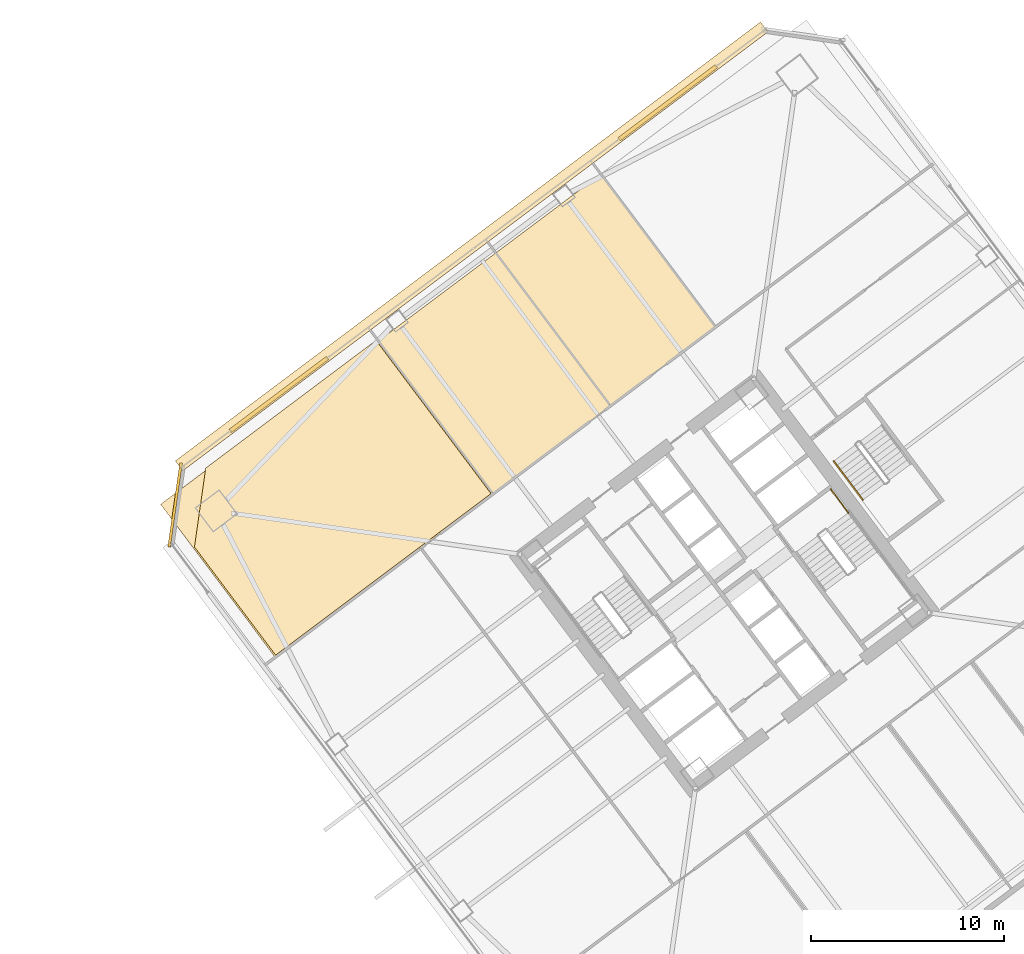
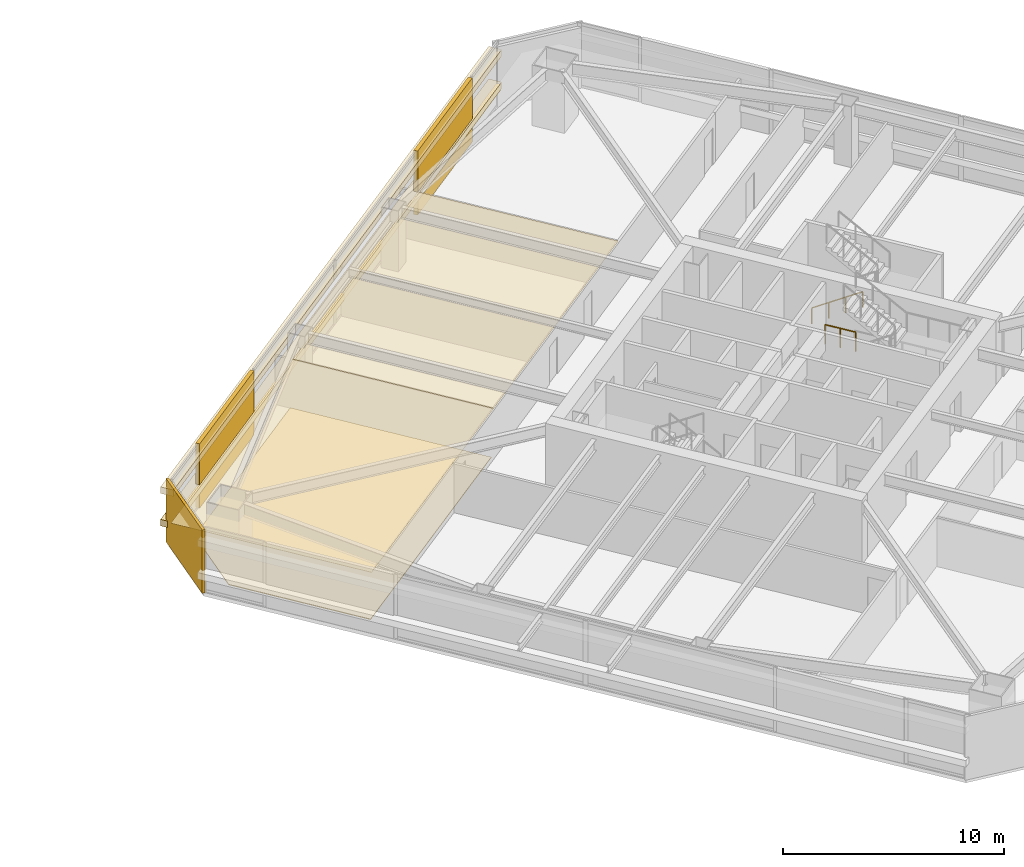
# One storey, part 46 of 48: 9 coverings, 2 railings.
"""IFC4 building model written with IfcOpenShell, lengths in metres."""

from ifc_helpers import new_model, si_unit, direction, frame, origin, origin_2d, place, context, subcontext, project, spatial, polyline, rectangle, outline, extrude, material, layer, layer_set, type_object, element, save


model = new_model("IFC4")

# Units and contexts
model_context = context("Model", 3, precision=1e-05, world=origin(), true_north=direction((0.0, 1.0)))
body_context = subcontext(model_context, "Body", "Model", "MODEL_VIEW")
ifc_project = project(units=[si_unit("LENGTHUNIT", "METRE"), si_unit("AREAUNIT", "SQUARE_METRE"), si_unit("VOLUMEUNIT", "CUBIC_METRE"), si_unit("PLANEANGLEUNIT", "RADIAN"), si_unit("MASSUNIT", "GRAM", prefix="KILO")], contexts=[model_context])

# Site, building, storey
site_placement = place(None, origin())
site = spatial("IfcSite", under=ifc_project, at=site_placement, CompositionType="ELEMENT")
building_placement = place(site_placement, origin())
building = spatial("IfcBuilding", under=site, at=building_placement, Name="Tashvorn Skyway Center", CompositionType="ELEMENT")
storey_placement = place(building_placement, frame((0.0, 0.0, 53.0)))
storey = spatial("IfcBuildingStorey", under=building, at=storey_placement, Name="L13", CompositionType="ELEMENT", Elevation=53.0)

# Coverings
ifc_material_1 = material(Name="Precast concrete C40/50", Category="concrete")
ifc_layer_1 = layer(ifc_material_1, 0.199951171875)
ifc_layer_set_1 = layer_set([ifc_layer_1], Name="Precast concrete C40/50")
covering_type_1 = type_object("IfcCoveringType", Name="COV-BRACE-CLAD", PredefinedType="CLADDING", material=ifc_layer_set_1)
for number, where, z_axis, x_axis, name in (
    (1, (90.922607421875, 41.7919921875, 0.0), (0.0, 0.0, 1.0), (0.799999996291, 0.600000004945, 0.0), "Tower 2 L13 North Unitised Curtain Wall Mega-Brace Cladding Band 1"),
    (2, (111.061279296875, 56.89599609375, 0.0), (0.0, 0.0, 1.0), (0.799999996291, 0.600000004945, 0.0), "Tower 2 L13 North Unitised Curtain Wall Mega-Brace Cladding Band 2"),
):
    element("IfcCovering", number, at=place(storey_placement, frame(where, z_axis=z_axis, x_axis=x_axis)), inside=storey, type_object=covering_type_1, Name=name, PredefinedType="CLADDING", context=body_context, shape_type="SweptSolid", body=[
        extrude(rectangle(XDim=6.29345703125, YDim=0.199951171875, at=origin_2d()), origin(), (0.0, 0.0, 1.0), 3.550048828125),
    ])
ifc_material_2 = material(Name="Mineral-fibre acoustic ceiling tile on suspended grid")
ifc_layer_2 = layer(ifc_material_2, 0.02001953125)
ifc_layer_set_2 = layer_set([ifc_layer_2], Name="Mineral-fibre acoustic ceiling tile on suspended grid")
covering_type_2 = type_object("IfcCoveringType", Name="COV-CEIL-20", PredefinedType="CEILING", material=ifc_layer_set_2)
covering_1_placement = place(storey_placement, frame((0.0, 0.0, 2.68310546875)))
element("IfcCovering", 3, at=covering_1_placement, inside=storey, type_object=covering_type_2, Name="Tower 2 L13 Gallery Showroom Acoustic Ceiling", PredefinedType="CEILING", context=body_context, shape_type="SweptSolid", body=[
    extrude(outline(polyline([(90.739990234375, 28.179931640625), (102.02001953125, 36.639892578125), (96.080078125, 44.56005859375), (84.800048828125, 36.10009765625), (90.739990234375, 28.179931640625)])), origin(), (0.0, 0.0, 1.0), 0.019775390625),
])
covering_2_placement = place(storey_placement, frame((0.0, 0.0, 2.68310546875)))
element("IfcCovering", 4, at=covering_2_placement, inside=storey, type_object=covering_type_2, Name="Tower 2 L13 Gallery Showroom Acoustic Ceiling", PredefinedType="CEILING", context=body_context, shape_type="SweptSolid", body=[
    extrude(outline(polyline([(102.02001953125, 36.639892578125), (108.10009765625, 41.199951171875), (102.159912109375, 49.1201171875), (96.080078125, 44.56005859375), (102.02001953125, 36.639892578125)])), origin(), (0.0, 0.0, 1.0), 0.019775390625),
])
covering_3_placement = place(storey_placement, frame((0.0, 0.0, 2.68310546875)))
element("IfcCovering", 5, at=covering_3_placement, inside=storey, type_object=covering_type_2, Name="Tower 2 L13 Corporate Office Acoustic Ceiling", PredefinedType="CEILING", context=body_context, shape_type="SweptSolid", body=[
    extrude(outline(polyline([(108.10009765625, 41.199951171875), (113.5400390625, 45.280029296875), (107.60009765625, 53.199951171875), (102.159912109375, 49.1201171875), (108.10009765625, 41.199951171875)])), origin(), (0.0, 0.0, 1.0), 0.019775390625),
])
ifc_material_3 = material(Name="Polished Mojave desert-aggregate terrazzo and cover plate")
ifc_layer_3 = layer(ifc_material_3, 0.0400390625)
ifc_layer_set_3 = layer_set([ifc_layer_3], Name="Polished Mojave desert-aggregate terrazzo and cover plate")
covering_type_3 = type_object("IfcCoveringType", Name="COV-FLR-40", PredefinedType="FLOORING", material=ifc_layer_set_3)
covering_4_placement = place(storey_placement, origin())
element("IfcCovering", 6, at=covering_4_placement, inside=storey, type_object=covering_type_3, Name="Tower 2 L13 Gallery Showroom Finish Flooring", PredefinedType="FLOORING", context=body_context, shape_type="SweptSolid", body=[
    extrude(outline(polyline([(101.907958984375, 36.656005859375), (90.756103515625, 28.2919921875), (86.555908203125, 33.89208984375), (87.139892578125, 37.97998046875), (95.9560546875, 44.592041015625), (101.907958984375, 36.656005859375)])), origin(), (0.0, 0.0, 1.0), 0.0400390625),
])
ifc_material_4 = material(Name="Perforated ceramic-coated bronze aluminium solar screen", Category="aluminium")
ifc_layer_4 = layer(ifc_material_4, 0.85009765625)
ifc_layer_set_4 = layer_set([ifc_layer_4], Name="Perforated ceramic-coated bronze aluminium solar screen")
covering_type_4 = type_object("IfcCoveringType", Name="COV-SOLAR-BAND", PredefinedType="CLADDING", material=ifc_layer_set_4)
for number, where, z_axis, x_axis, name in (
    (7, (100.907958984375, 49.4560546875, 0.919921875), (0.0, 0.0, 1.0), (0.799999996291, 0.600000004945, 0.0), "L13 Perforated Ceramic-Metal Solar Screen Louvre Band North 1"),
    (8, (100.907958984375, 49.4560546875, 2.7197265625), (0.0, 0.0, 1.0), (0.799999996291, 0.600000004945, 0.0), "L13 Perforated Ceramic-Metal Solar Screen Louvre Band North 2"),
):
    element("IfcCovering", number, at=place(storey_placement, frame(where, z_axis=z_axis, x_axis=x_axis)), inside=storey, type_object=covering_type_4, Name=name, PredefinedType="CLADDING", context=body_context, shape_type="SweptSolid", body=[
        extrude(rectangle(XDim=37.8798828125, YDim=0.639892578125, at=origin_2d()), origin(), (0.0, 0.0, 1.0), 0.360107421875),
    ])
ifc_layer_5 = layer(ifc_material_1, 0.35009765625)
ifc_layer_set_5 = layer_set([ifc_layer_5], Name="Precast concrete C40/50")
covering_type_5 = type_object("IfcCoveringType", Name="COV-STONE-TRIM", PredefinedType="CLADDING", material=ifc_layer_set_5)
covering_5_placement = place(storey_placement, frame((85.552001953125, 36.06396484375, 0.02001953125), z_axis=(0.0, 0.0, 1.0), x_axis=(-0.141421350118, -0.989949494535, 0.0)))
element("IfcCovering", 9, at=covering_5_placement, inside=storey, type_object=covering_type_5, Name="Tower 2 L13 NW Mojave Limestone Corner Quoin", PredefinedType="CLADDING", context=body_context, shape_type="SweptSolid", body=[
    extrude(rectangle(XDim=4.402587890625, YDim=0.139892578125, at=origin_2d()), origin(), (0.0, 0.0, 1.0), 3.510009765625),
])

# Railings
ifc_material_5 = material(Name="Brushed stainless steel 316", Category="steel")
railing_type_1 = type_object("IfcRailingType", Name="RAIL-HAND-920", PredefinedType="HANDRAIL", material=ifc_material_5)
railing_1_placement = place(storey_placement, frame((119.656005859375, 38.342041015625, 0.177490234375)))
element("IfcRailing", 10, at=railing_1_placement, inside=storey, type_object=railing_type_1, Name="L13 ST-T2-3 stair handrail 1", PredefinedType="HANDRAIL", context=body_context, shape_type="SweptSolid", body=[
    extrude(rectangle(XDim=0.048095703125, YDim=0.048095703125, at=origin_2d()), frame((0.0, 0.0, 0.8759765625), z_axis=(0.506740800098, -0.675708949977, 0.535379469569), x_axis=(0.800023250257, 0.599968998406, 0.0)), (0.0, 0.0, 1.0), 2.983642578125),
    extrude(rectangle(XDim=0.0419921875, YDim=0.0419921875, at=origin_2d()), origin(), (0.0, 0.0, 1.0), 0.851806640625),
    extrude(rectangle(XDim=0.0419921875, YDim=0.0419921875, at=origin_2d()), frame((0.50390625, -0.672119140625, 0.532470703125)), (0.0, 0.0, 1.0), 0.851806640625),
    extrude(rectangle(XDim=0.0419921875, YDim=0.0419921875, at=origin_2d()), frame((1.008056640625, -1.343994140625, 1.06494140625)), (0.0, 0.0, 1.0), 0.851806640625),
    extrude(rectangle(XDim=0.0419921875, YDim=0.0419921875, at=origin_2d()), frame((1.511962890625, -2.01611328125, 1.597412109375)), (0.0, 0.0, 1.0), 0.851806640625),
])
ifc_material_6 = material(Name="Painted galvanized steel S355", Category="steel")
railing_type_2 = type_object("IfcRailingType", Name="RAIL-STGUARD-1100", PredefinedType="GUARDRAIL", material=ifc_material_6)
railing_2_placement = place(storey_placement, frame((119.50390625, 36.8779296875, 0.0)))
element("IfcRailing", 11, at=railing_2_placement, inside=storey, type_object=railing_type_2, Name="L13 ST-T2-2 stair guard 6", PredefinedType="GUARDRAIL", context=body_context, shape_type="SweptSolid", body=[
    extrude(rectangle(XDim=0.048095703125, YDim=0.048095703125, at=origin_2d()), frame((0.0, 0.0, 1.076171875), z_axis=(0.600102796382, -0.799922892393, 0.0), x_axis=(0.799922892393, 0.600102796382, 0.0)), (0.0, 0.0, 1.0), 1.52001953125),
    extrude(rectangle(XDim=0.0419921875, YDim=0.0419921875, at=origin_2d()), origin(), (0.0, 0.0, 1.0), 1.052001953125),
    extrude(rectangle(XDim=0.0419921875, YDim=0.0419921875, at=origin_2d()), frame((0.4560546875, -0.60791015625, 0.0)), (0.0, 0.0, 1.0), 1.052001953125),
    extrude(rectangle(XDim=0.0419921875, YDim=0.0419921875, at=origin_2d()), frame((0.912109375, -1.2158203125, 0.0)), (0.0, 0.0, 1.0), 1.052001953125),
])

save(model, "model.ifc")
